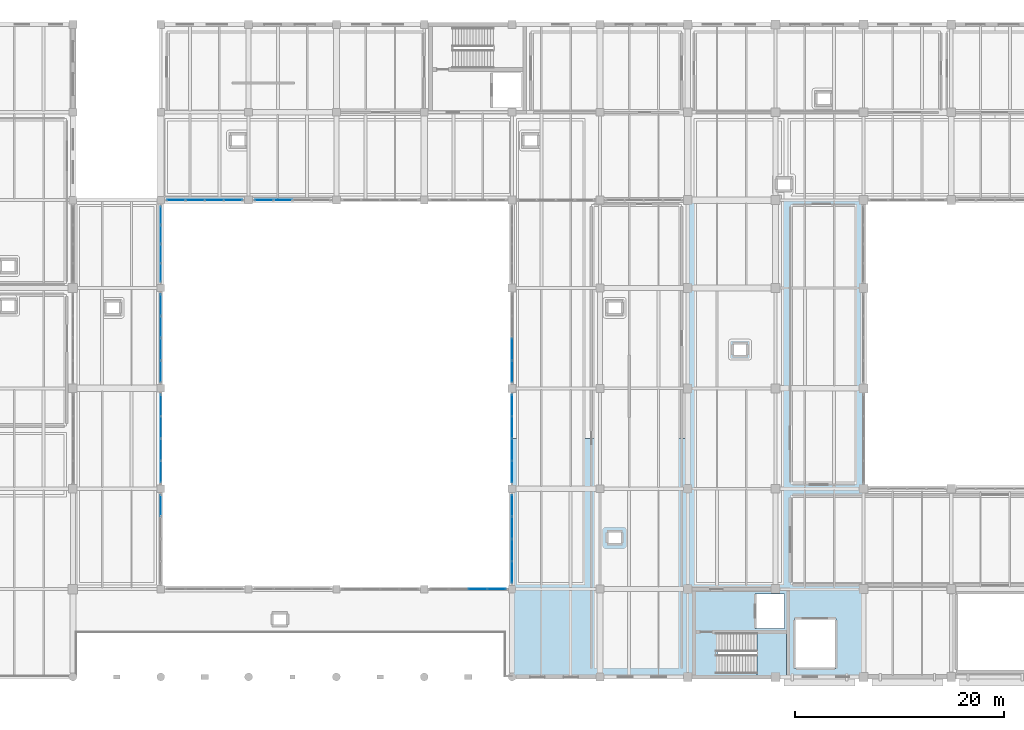
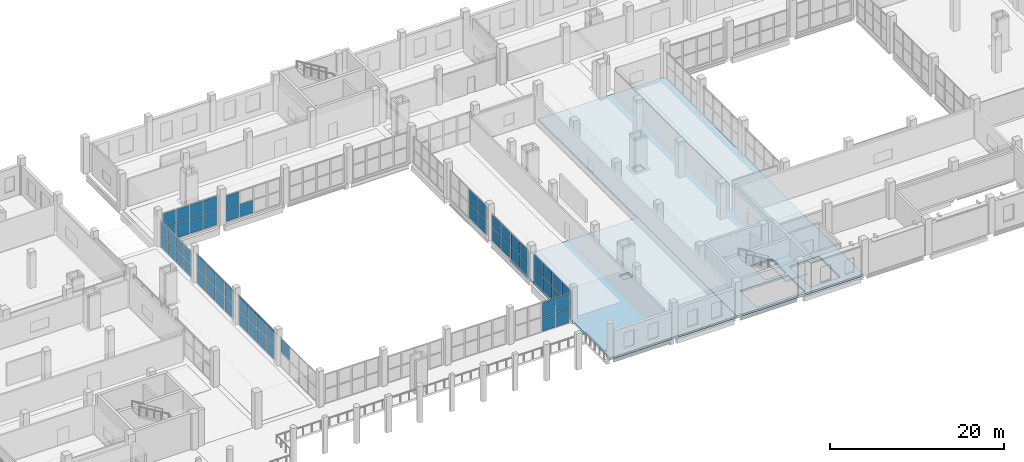
# One storey, part 40 of 66: 60 plates, 3 slabs, 11 elements without a shape of their own.
"""IFC4 building model written with IfcOpenShell, lengths in metres."""

from ifc_helpers import new_model, si_unit, direction, frame, origin, origin_2d, place, context, subcontext, project, spatial, polyline, rectangle, outline, extrude, material, layer, layer_set, type_object, element, aggregate, save


model = new_model("IFC4")

# Units and contexts
model_context = context("Model", 3, precision=1e-05, world=origin(), true_north=direction((0.0, 1.0)))
body_context = subcontext(model_context, "Body", "Model", "MODEL_VIEW")
ifc_project = project(units=[si_unit("LENGTHUNIT", "METRE"), si_unit("AREAUNIT", "SQUARE_METRE"), si_unit("VOLUMEUNIT", "CUBIC_METRE"), si_unit("PLANEANGLEUNIT", "RADIAN"), si_unit("MASSUNIT", "GRAM", prefix="KILO")], contexts=[model_context])

# Site, building, storey
site_placement = place(None, origin())
site = spatial("IfcSite", under=ifc_project, at=site_placement, CompositionType="ELEMENT")
building_placement = place(site_placement, origin())
building = spatial("IfcBuilding", under=site, at=building_placement, Name="Zulmaris Art Gallery", CompositionType="ELEMENT")
storey_placement = place(building_placement, frame((0.0, 0.0, 5.39990234375)))
storey = spatial("IfcBuildingStorey", under=building, at=storey_placement, Name="L01", CompositionType="ELEMENT", Elevation=5.39990234375)

# Curtain wall, plate
ifc_material_1 = material(Name="Cloister & Court Glazed Curtain Wall", Category="aluminium")
ifc_layer_1 = layer(ifc_material_1, 0.179931640625)
ifc_layer_set_1 = layer_set([ifc_layer_1], Name="Cloister & Court Glazed Curtain Wall")
curtain_wall_type_1 = type_object("IfcCurtainWallType", Name="CW-CW03", PredefinedType="NOTDEFINED", material=ifc_layer_set_1)
curtain_wall_1_placement = place(storey_placement, origin())
curtain_wall_1 = element("IfcCurtainWall", 1, at=curtain_wall_1_placement, inside=storey, type_object=curtain_wall_type_1, Name="L01 curtain wall 71", PredefinedType="NOTDEFINED")
ifc_material_2 = material(Name="Triple Solar-Control Laminated Glass", Category="glass")
ifc_layer_2 = layer(ifc_material_2, 0.035888671875)
ifc_layer_set_2 = layer_set([ifc_layer_2], Name="Triple Solar-Control Laminated Glass")
plate_type = type_object("IfcPlateType", Name="CWPAN-GLZ", PredefinedType="CURTAIN_PANEL", material=ifc_layer_set_2)
plate_1_placement = place(storey_placement, frame((91.199951171875, 29.576171875, 2.07275390625), z_axis=(0.0, 0.0, 1.0), x_axis=(0.0, -1.0, 0.0)))
plate_1 = element("IfcPlate", 2, at=plate_1_placement, type_object=plate_type, Name="CW03 panel 1.2", PredefinedType="CURTAIN_PANEL", context=body_context, shape_type="SweptSolid", body=[
    extrude(rectangle(XDim=2.017578125, YDim=0.031982421875, at=origin_2d()), origin(), (0.0, 0.0, 1.0), 1.922607421875),
])
aggregate(curtain_wall_1, [plate_1])

# Curtain wall, plates
curtain_wall_2_placement = place(storey_placement, origin())
curtain_wall_2 = element("IfcCurtainWall", 3, at=curtain_wall_2_placement, inside=storey, type_object=curtain_wall_type_1, Name="L01 curtain wall 73", PredefinedType="NOTDEFINED")
plate_2_placement = place(storey_placement, frame((91.199951171875, 39.17626953125, 0.0751953125), z_axis=(0.0, 0.0, 1.0), x_axis=(0.0, -1.0, 0.0)))
plate_2 = element("IfcPlate", 4, at=plate_2_placement, type_object=plate_type, Name="CW03 panel 1.1", PredefinedType="CURTAIN_PANEL", context=body_context, shape_type="SweptSolid", body=[
    extrude(rectangle(XDim=2.017578125, YDim=0.031982421875, at=origin_2d()), origin(), (0.0, 0.0, 1.0), 2.00244140625),
])
plate_3_placement = place(storey_placement, frame((91.199951171875, 39.17626953125, 2.152587890625), z_axis=(0.0, 0.0, 1.0), x_axis=(0.0, -1.0, 0.0)))
plate_3 = element("IfcPlate", 5, at=plate_3_placement, type_object=plate_type, Name="CW03 panel 1.2", PredefinedType="CURTAIN_PANEL", context=body_context, shape_type="SweptSolid", body=[
    extrude(rectangle(XDim=2.017578125, YDim=0.031982421875, at=origin_2d()), origin(), (0.0, 0.0, 1.0), 2.00244140625),
])
plate_4_placement = place(storey_placement, frame((91.199951171875, 37.06494140625, 0.0751953125), z_axis=(0.0, 0.0, 1.0), x_axis=(0.0, -1.0, 0.0)))
plate_4 = element("IfcPlate", 6, at=plate_4_placement, type_object=plate_type, Name="CW03 panel 2.1", PredefinedType="CURTAIN_PANEL", context=body_context, shape_type="SweptSolid", body=[
    extrude(rectangle(XDim=2.054931640625, YDim=0.031982421875, at=origin_2d()), origin(), (0.0, 0.0, 1.0), 2.00244140625),
])
plate_5_placement = place(storey_placement, frame((91.199951171875, 37.06494140625, 2.152587890625), z_axis=(0.0, 0.0, 1.0), x_axis=(0.0, -1.0, 0.0)))
plate_5 = element("IfcPlate", 7, at=plate_5_placement, type_object=plate_type, Name="CW03 panel 2.2", PredefinedType="CURTAIN_PANEL", context=body_context, shape_type="SweptSolid", body=[
    extrude(rectangle(XDim=2.054931640625, YDim=0.031982421875, at=origin_2d()), origin(), (0.0, 0.0, 1.0), 2.00244140625),
])
plate_6_placement = place(storey_placement, frame((91.199951171875, 34.93505859375, 0.0751953125), z_axis=(0.0, 0.0, 1.0), x_axis=(0.0, -1.0, 0.0)))
plate_6 = element("IfcPlate", 8, at=plate_6_placement, type_object=plate_type, Name="CW03 panel 3.1", PredefinedType="CURTAIN_PANEL", context=body_context, shape_type="SweptSolid", body=[
    extrude(rectangle(XDim=2.054931640625, YDim=0.031982421875, at=origin_2d()), origin(), (0.0, 0.0, 1.0), 2.00244140625),
])
plate_7_placement = place(storey_placement, frame((91.199951171875, 34.93505859375, 2.152587890625), z_axis=(0.0, 0.0, 1.0), x_axis=(0.0, -1.0, 0.0)))
plate_7 = element("IfcPlate", 9, at=plate_7_placement, type_object=plate_type, Name="CW03 panel 3.2", PredefinedType="CURTAIN_PANEL", context=body_context, shape_type="SweptSolid", body=[
    extrude(rectangle(XDim=2.054931640625, YDim=0.031982421875, at=origin_2d()), origin(), (0.0, 0.0, 1.0), 2.00244140625),
])
plate_8_placement = place(storey_placement, frame((91.199951171875, 32.82373046875, 0.0751953125), z_axis=(0.0, 0.0, 1.0), x_axis=(0.0, -1.0, 0.0)))
plate_8 = element("IfcPlate", 10, at=plate_8_placement, type_object=plate_type, Name="CW03 panel 4.1", PredefinedType="CURTAIN_PANEL", context=body_context, shape_type="SweptSolid", body=[
    extrude(rectangle(XDim=2.017578125, YDim=0.031982421875, at=origin_2d()), origin(), (0.0, 0.0, 1.0), 2.00244140625),
])
plate_9_placement = place(storey_placement, frame((91.199951171875, 32.82373046875, 2.152587890625), z_axis=(0.0, 0.0, 1.0), x_axis=(0.0, -1.0, 0.0)))
plate_9 = element("IfcPlate", 11, at=plate_9_placement, type_object=plate_type, Name="CW03 panel 4.2", PredefinedType="CURTAIN_PANEL", context=body_context, shape_type="SweptSolid", body=[
    extrude(rectangle(XDim=2.017578125, YDim=0.031982421875, at=origin_2d()), origin(), (0.0, 0.0, 1.0), 2.00244140625),
])
aggregate(curtain_wall_2, [plate_2, plate_3, plate_4, plate_5, plate_6, plate_7, plate_8, plate_9])

curtain_wall_3_placement = place(storey_placement, origin())
curtain_wall_3 = element("IfcCurtainWall", 12, at=curtain_wall_3_placement, inside=storey, type_object=curtain_wall_type_1, Name="L01 curtain wall 75", PredefinedType="NOTDEFINED")
plate_10_placement = place(storey_placement, frame((91.199951171875, 48.7763671875, 0.0751953125), z_axis=(0.0, 0.0, 1.0), x_axis=(0.0, -1.0, 0.0)))
plate_10 = element("IfcPlate", 13, at=plate_10_placement, type_object=plate_type, Name="CW03 panel 1.1", PredefinedType="CURTAIN_PANEL", context=body_context, shape_type="SweptSolid", body=[
    extrude(rectangle(XDim=2.017578125, YDim=0.031982421875, at=origin_2d()), origin(), (0.0, 0.0, 1.0), 1.972412109375),
])
plate_11_placement = place(storey_placement, frame((91.199951171875, 48.7763671875, 2.12255859375), z_axis=(0.0, 0.0, 1.0), x_axis=(0.0, -1.0, 0.0)))
plate_11 = element("IfcPlate", 14, at=plate_11_placement, type_object=plate_type, Name="CW03 panel 1.2", PredefinedType="CURTAIN_PANEL", context=body_context, shape_type="SweptSolid", body=[
    extrude(rectangle(XDim=2.017578125, YDim=0.031982421875, at=origin_2d()), origin(), (0.0, 0.0, 1.0), 1.972412109375),
])
plate_12_placement = place(storey_placement, frame((91.199951171875, 46.6650390625, 0.0751953125), z_axis=(0.0, 0.0, 1.0), x_axis=(0.0, -1.0, 0.0)))
plate_12 = element("IfcPlate", 15, at=plate_12_placement, type_object=plate_type, Name="CW03 panel 2.1", PredefinedType="CURTAIN_PANEL", context=body_context, shape_type="SweptSolid", body=[
    extrude(rectangle(XDim=2.054931640625, YDim=0.031982421875, at=origin_2d()), origin(), (0.0, 0.0, 1.0), 1.972412109375),
])
plate_13_placement = place(storey_placement, frame((91.199951171875, 46.6650390625, 2.12255859375), z_axis=(0.0, 0.0, 1.0), x_axis=(0.0, -1.0, 0.0)))
plate_13 = element("IfcPlate", 16, at=plate_13_placement, type_object=plate_type, Name="CW03 panel 2.2", PredefinedType="CURTAIN_PANEL", context=body_context, shape_type="SweptSolid", body=[
    extrude(rectangle(XDim=2.054931640625, YDim=0.031982421875, at=origin_2d()), origin(), (0.0, 0.0, 1.0), 1.972412109375),
])
plate_14_placement = place(storey_placement, frame((91.199951171875, 44.534912109375, 0.0751953125), z_axis=(0.0, 0.0, 1.0), x_axis=(0.0, -1.0, 0.0)))
plate_14 = element("IfcPlate", 17, at=plate_14_placement, type_object=plate_type, Name="CW03 panel 3.1", PredefinedType="CURTAIN_PANEL", context=body_context, shape_type="SweptSolid", body=[
    extrude(rectangle(XDim=2.054931640625, YDim=0.031982421875, at=origin_2d()), origin(), (0.0, 0.0, 1.0), 1.972412109375),
])
plate_15_placement = place(storey_placement, frame((91.199951171875, 44.534912109375, 2.12255859375), z_axis=(0.0, 0.0, 1.0), x_axis=(0.0, -1.0, 0.0)))
plate_15 = element("IfcPlate", 18, at=plate_15_placement, type_object=plate_type, Name="CW03 panel 3.2", PredefinedType="CURTAIN_PANEL", context=body_context, shape_type="SweptSolid", body=[
    extrude(rectangle(XDim=2.054931640625, YDim=0.031982421875, at=origin_2d()), origin(), (0.0, 0.0, 1.0), 1.972412109375),
])
plate_16_placement = place(storey_placement, frame((91.199951171875, 42.423828125, 0.0751953125), z_axis=(0.0, 0.0, 1.0), x_axis=(0.0, -1.0, 0.0)))
plate_16 = element("IfcPlate", 19, at=plate_16_placement, type_object=plate_type, Name="CW03 panel 4.1", PredefinedType="CURTAIN_PANEL", context=body_context, shape_type="SweptSolid", body=[
    extrude(rectangle(XDim=2.017578125, YDim=0.031982421875, at=origin_2d()), origin(), (0.0, 0.0, 1.0), 1.972412109375),
])
plate_17_placement = place(storey_placement, frame((91.199951171875, 42.423828125, 2.12255859375), z_axis=(0.0, 0.0, 1.0), x_axis=(0.0, -1.0, 0.0)))
plate_17 = element("IfcPlate", 20, at=plate_17_placement, type_object=plate_type, Name="CW03 panel 4.2", PredefinedType="CURTAIN_PANEL", context=body_context, shape_type="SweptSolid", body=[
    extrude(rectangle(XDim=2.017578125, YDim=0.031982421875, at=origin_2d()), origin(), (0.0, 0.0, 1.0), 1.972412109375),
])
aggregate(curtain_wall_3, [plate_10, plate_11, plate_12, plate_13, plate_14, plate_15, plate_16, plate_17])

curtain_wall_4_placement = place(storey_placement, origin())
curtain_wall_4 = element("IfcCurtainWall", 21, at=curtain_wall_4_placement, inside=storey, type_object=curtain_wall_type_1, Name="L01 curtain wall 77", PredefinedType="NOTDEFINED")
plate_18_placement = place(storey_placement, frame((91.199951171875, 57.326171875, 0.0751953125), z_axis=(0.0, 0.0, 1.0), x_axis=(0.0, -1.0, 0.0)))
plate_18 = element("IfcPlate", 22, at=plate_18_placement, type_object=plate_type, Name="CW03 panel 1.1", PredefinedType="CURTAIN_PANEL", context=body_context, shape_type="SweptSolid", body=[
    extrude(rectangle(XDim=1.717529296875, YDim=0.031982421875, at=origin_2d()), origin(), (0.0, 0.0, 1.0), 1.7724609375),
])
plate_19_placement = place(storey_placement, frame((91.199951171875, 57.326171875, 1.922607421875), z_axis=(0.0, 0.0, 1.0), x_axis=(0.0, -1.0, 0.0)))
plate_19 = element("IfcPlate", 23, at=plate_19_placement, type_object=plate_type, Name="CW03 panel 1.2", PredefinedType="CURTAIN_PANEL", context=body_context, shape_type="SweptSolid", body=[
    extrude(rectangle(XDim=1.717529296875, YDim=0.031982421875, at=origin_2d()), origin(), (0.0, 0.0, 1.0), 1.7724609375),
])
plate_20_placement = place(storey_placement, frame((91.199951171875, 55.514892578125, 0.0751953125), z_axis=(0.0, 0.0, 1.0), x_axis=(0.0, -1.0, 0.0)))
plate_20 = element("IfcPlate", 24, at=plate_20_placement, type_object=plate_type, Name="CW03 panel 2.1", PredefinedType="CURTAIN_PANEL", context=body_context, shape_type="SweptSolid", body=[
    extrude(rectangle(XDim=1.7548828125, YDim=0.031982421875, at=origin_2d()), origin(), (0.0, 0.0, 1.0), 1.7724609375),
])
plate_21_placement = place(storey_placement, frame((91.199951171875, 55.514892578125, 1.922607421875), z_axis=(0.0, 0.0, 1.0), x_axis=(0.0, -1.0, 0.0)))
plate_21 = element("IfcPlate", 25, at=plate_21_placement, type_object=plate_type, Name="CW03 panel 2.2", PredefinedType="CURTAIN_PANEL", context=body_context, shape_type="SweptSolid", body=[
    extrude(rectangle(XDim=1.7548828125, YDim=0.031982421875, at=origin_2d()), origin(), (0.0, 0.0, 1.0), 1.7724609375),
])
plate_22_placement = place(storey_placement, frame((91.199951171875, 53.68505859375, 0.0751953125), z_axis=(0.0, 0.0, 1.0), x_axis=(0.0, -1.0, 0.0)))
plate_22 = element("IfcPlate", 26, at=plate_22_placement, type_object=plate_type, Name="CW03 panel 3.1", PredefinedType="CURTAIN_PANEL", context=body_context, shape_type="SweptSolid", body=[
    extrude(rectangle(XDim=1.7548828125, YDim=0.031982421875, at=origin_2d()), origin(), (0.0, 0.0, 1.0), 1.7724609375),
])
plate_23_placement = place(storey_placement, frame((91.199951171875, 53.68505859375, 1.922607421875), z_axis=(0.0, 0.0, 1.0), x_axis=(0.0, -1.0, 0.0)))
plate_23 = element("IfcPlate", 27, at=plate_23_placement, type_object=plate_type, Name="CW03 panel 3.2", PredefinedType="CURTAIN_PANEL", context=body_context, shape_type="SweptSolid", body=[
    extrude(rectangle(XDim=1.7548828125, YDim=0.031982421875, at=origin_2d()), origin(), (0.0, 0.0, 1.0), 1.7724609375),
])
plate_24_placement = place(storey_placement, frame((91.199951171875, 51.873779296875, 0.0751953125), z_axis=(0.0, 0.0, 1.0), x_axis=(0.0, -1.0, 0.0)))
plate_24 = element("IfcPlate", 28, at=plate_24_placement, type_object=plate_type, Name="CW03 panel 4.1", PredefinedType="CURTAIN_PANEL", context=body_context, shape_type="SweptSolid", body=[
    extrude(rectangle(XDim=1.717529296875, YDim=0.031982421875, at=origin_2d()), origin(), (0.0, 0.0, 1.0), 1.7724609375),
])
plate_25_placement = place(storey_placement, frame((91.199951171875, 51.873779296875, 1.922607421875), z_axis=(0.0, 0.0, 1.0), x_axis=(0.0, -1.0, 0.0)))
plate_25 = element("IfcPlate", 29, at=plate_25_placement, type_object=plate_type, Name="CW03 panel 4.2", PredefinedType="CURTAIN_PANEL", context=body_context, shape_type="SweptSolid", body=[
    extrude(rectangle(XDim=1.717529296875, YDim=0.031982421875, at=origin_2d()), origin(), (0.0, 0.0, 1.0), 1.7724609375),
])
aggregate(curtain_wall_4, [plate_18, plate_19, plate_20, plate_21, plate_22, plate_23, plate_24, plate_25])

ifc_material_3 = material(Name="Unitised Low-E Gallery Curtain Wall", Category="aluminium")
ifc_layer_3 = layer(ifc_material_3, 0.179931640625)
ifc_layer_set_3 = layer_set([ifc_layer_3], Name="Unitised Low-E Gallery Curtain Wall")
curtain_wall_type_2 = type_object("IfcCurtainWallType", Name="CW-CW01", PredefinedType="NOTDEFINED", material=ifc_layer_set_3)
curtain_wall_5_placement = place(storey_placement, origin())
curtain_wall_5 = element("IfcCurtainWall", 30, at=curtain_wall_5_placement, inside=storey, type_object=curtain_wall_type_2, Name="L01 curtain wall 94", PredefinedType="NOTDEFINED")
plate_26_placement = place(storey_placement, frame((92.673828125, 58.800048828125, 0.074951171875), z_axis=(0.0, 0.0, 1.0), x_axis=(1.0, 0.0, 0.0)))
plate_26 = element("IfcPlate", 31, at=plate_26_placement, type_object=plate_type, Name="CW01 panel 1.1", PredefinedType="CURTAIN_PANEL", context=body_context, shape_type="SweptSolid", body=[
    extrude(rectangle(XDim=1.717529296875, YDim=0.031982421875, at=origin_2d()), origin(), (0.0, 0.0, 1.0), 1.97509765625),
])
plate_27_placement = place(storey_placement, frame((92.673828125, 58.800048828125, 2.125), z_axis=(0.0, 0.0, 1.0), x_axis=(1.0, 0.0, 0.0)))
plate_27 = element("IfcPlate", 32, at=plate_27_placement, type_object=plate_type, Name="CW01 panel 1.2", PredefinedType="CURTAIN_PANEL", context=body_context, shape_type="SweptSolid", body=[
    extrude(rectangle(XDim=1.717529296875, YDim=0.031982421875, at=origin_2d()), origin(), (0.0, 0.0, 1.0), 1.97509765625),
])
plate_28_placement = place(storey_placement, frame((94.485107421875, 58.800048828125, 0.074951171875), z_axis=(0.0, 0.0, 1.0), x_axis=(1.0, 0.0, 0.0)))
plate_28 = element("IfcPlate", 33, at=plate_28_placement, type_object=plate_type, Name="CW01 panel 2.1", PredefinedType="CURTAIN_PANEL", context=body_context, shape_type="SweptSolid", body=[
    extrude(rectangle(XDim=1.7548828125, YDim=0.031982421875, at=origin_2d()), origin(), (0.0, 0.0, 1.0), 1.97509765625),
])
plate_29_placement = place(storey_placement, frame((94.485107421875, 58.800048828125, 2.125), z_axis=(0.0, 0.0, 1.0), x_axis=(1.0, 0.0, 0.0)))
plate_29 = element("IfcPlate", 34, at=plate_29_placement, type_object=plate_type, Name="CW01 panel 2.2", PredefinedType="CURTAIN_PANEL", context=body_context, shape_type="SweptSolid", body=[
    extrude(rectangle(XDim=1.7548828125, YDim=0.031982421875, at=origin_2d()), origin(), (0.0, 0.0, 1.0), 1.97509765625),
])
plate_30_placement = place(storey_placement, frame((96.31494140625, 58.800048828125, 0.074951171875), z_axis=(0.0, 0.0, 1.0), x_axis=(1.0, 0.0, 0.0)))
plate_30 = element("IfcPlate", 35, at=plate_30_placement, type_object=plate_type, Name="CW01 panel 3.1", PredefinedType="CURTAIN_PANEL", context=body_context, shape_type="SweptSolid", body=[
    extrude(rectangle(XDim=1.7548828125, YDim=0.031982421875, at=origin_2d()), origin(), (0.0, 0.0, 1.0), 1.97509765625),
])
plate_31_placement = place(storey_placement, frame((96.31494140625, 58.800048828125, 2.125), z_axis=(0.0, 0.0, 1.0), x_axis=(1.0, 0.0, 0.0)))
plate_31 = element("IfcPlate", 36, at=plate_31_placement, type_object=plate_type, Name="CW01 panel 3.2", PredefinedType="CURTAIN_PANEL", context=body_context, shape_type="SweptSolid", body=[
    extrude(rectangle(XDim=1.7548828125, YDim=0.031982421875, at=origin_2d()), origin(), (0.0, 0.0, 1.0), 1.97509765625),
])
plate_32_placement = place(storey_placement, frame((98.126220703125, 58.800048828125, 0.074951171875), z_axis=(0.0, 0.0, 1.0), x_axis=(1.0, 0.0, 0.0)))
plate_32 = element("IfcPlate", 37, at=plate_32_placement, type_object=plate_type, Name="CW01 panel 4.1", PredefinedType="CURTAIN_PANEL", context=body_context, shape_type="SweptSolid", body=[
    extrude(rectangle(XDim=1.717529296875, YDim=0.031982421875, at=origin_2d()), origin(), (0.0, 0.0, 1.0), 1.97509765625),
])
plate_33_placement = place(storey_placement, frame((98.126220703125, 58.800048828125, 2.125), z_axis=(0.0, 0.0, 1.0), x_axis=(1.0, 0.0, 0.0)))
plate_33 = element("IfcPlate", 38, at=plate_33_placement, type_object=plate_type, Name="CW01 panel 4.2", PredefinedType="CURTAIN_PANEL", context=body_context, shape_type="SweptSolid", body=[
    extrude(rectangle(XDim=1.717529296875, YDim=0.031982421875, at=origin_2d()), origin(), (0.0, 0.0, 1.0), 1.97509765625),
])
aggregate(curtain_wall_5, [plate_26, plate_27, plate_28, plate_29, plate_30, plate_31, plate_32, plate_33])

curtain_wall_6_placement = place(storey_placement, origin())
curtain_wall_6 = element("IfcCurtainWall", 39, at=curtain_wall_6_placement, inside=storey, type_object=curtain_wall_type_2, Name="L01 curtain wall 95", PredefinedType="NOTDEFINED")
plate_34_placement = place(storey_placement, frame((101.07373046875, 58.800048828125, 0.0751953125), z_axis=(0.0, 0.0, 1.0), x_axis=(1.0, 0.0, 0.0)))
plate_34 = element("IfcPlate", 40, at=plate_34_placement, type_object=plate_type, Name="CW01 panel 1.1", PredefinedType="CURTAIN_PANEL", context=body_context, shape_type="SweptSolid", body=[
    extrude(rectangle(XDim=1.717529296875, YDim=0.031982421875, at=origin_2d()), origin(), (0.0, 0.0, 1.0), 1.7724609375),
])
plate_35_placement = place(storey_placement, frame((101.07373046875, 58.800048828125, 1.922607421875), z_axis=(0.0, 0.0, 1.0), x_axis=(1.0, 0.0, 0.0)))
plate_35 = element("IfcPlate", 41, at=plate_35_placement, type_object=plate_type, Name="CW01 panel 1.2", PredefinedType="CURTAIN_PANEL", context=body_context, shape_type="SweptSolid", body=[
    extrude(rectangle(XDim=1.717529296875, YDim=0.031982421875, at=origin_2d()), origin(), (0.0, 0.0, 1.0), 1.7724609375),
])
plate_36_placement = place(storey_placement, frame((102.885009765625, 58.800048828125, 0.0751953125), z_axis=(0.0, 0.0, 1.0), x_axis=(1.0, 0.0, 0.0)))
plate_36 = element("IfcPlate", 42, at=plate_36_placement, type_object=plate_type, Name="CW01 panel 2.1", PredefinedType="CURTAIN_PANEL", context=body_context, shape_type="SweptSolid", body=[
    extrude(rectangle(XDim=1.7548828125, YDim=0.031982421875, at=origin_2d()), origin(), (0.0, 0.0, 1.0), 1.7724609375),
])
aggregate(curtain_wall_6, [plate_34, plate_35, plate_36])

curtain_wall_7_placement = place(storey_placement, origin())
curtain_wall_7 = element("IfcCurtainWall", 43, at=curtain_wall_7_placement, inside=storey, type_object=curtain_wall_type_2, Name="L01 curtain wall 100", PredefinedType="NOTDEFINED")
plate_37_placement = place(storey_placement, frame((124.800048828125, 23.2236328125, 0.0751953125), z_axis=(0.0, 0.0, 1.0), x_axis=(0.0, 1.0, 0.0)))
plate_37 = element("IfcPlate", 44, at=plate_37_placement, type_object=plate_type, Name="CW01 panel 1.1", PredefinedType="CURTAIN_PANEL", context=body_context, shape_type="SweptSolid", body=[
    extrude(rectangle(XDim=2.017578125, YDim=0.031982421875, at=origin_2d()), origin(), (0.0, 0.0, 1.0), 1.925048828125),
])
plate_38_placement = place(storey_placement, frame((124.800048828125, 23.2236328125, 2.0751953125), z_axis=(0.0, 0.0, 1.0), x_axis=(0.0, 1.0, 0.0)))
plate_38 = element("IfcPlate", 45, at=plate_38_placement, type_object=plate_type, Name="CW01 panel 1.2", PredefinedType="CURTAIN_PANEL", context=body_context, shape_type="SweptSolid", body=[
    extrude(rectangle(XDim=2.017578125, YDim=0.031982421875, at=origin_2d()), origin(), (0.0, 0.0, 1.0), 1.925048828125),
])
plate_39_placement = place(storey_placement, frame((124.800048828125, 25.3349609375, 0.0751953125), z_axis=(0.0, 0.0, 1.0), x_axis=(0.0, 1.0, 0.0)))
plate_39 = element("IfcPlate", 46, at=plate_39_placement, type_object=plate_type, Name="CW01 panel 2.1", PredefinedType="CURTAIN_PANEL", context=body_context, shape_type="SweptSolid", body=[
    extrude(rectangle(XDim=2.054931640625, YDim=0.031982421875, at=origin_2d()), origin(), (0.0, 0.0, 1.0), 1.925048828125),
])
plate_40_placement = place(storey_placement, frame((124.800048828125, 25.3349609375, 2.0751953125), z_axis=(0.0, 0.0, 1.0), x_axis=(0.0, 1.0, 0.0)))
plate_40 = element("IfcPlate", 47, at=plate_40_placement, type_object=plate_type, Name="CW01 panel 2.2", PredefinedType="CURTAIN_PANEL", context=body_context, shape_type="SweptSolid", body=[
    extrude(rectangle(XDim=2.054931640625, YDim=0.031982421875, at=origin_2d()), origin(), (0.0, 0.0, 1.0), 1.925048828125),
])
plate_41_placement = place(storey_placement, frame((124.800048828125, 27.465087890625, 0.0751953125), z_axis=(0.0, 0.0, 1.0), x_axis=(0.0, 1.0, 0.0)))
plate_41 = element("IfcPlate", 48, at=plate_41_placement, type_object=plate_type, Name="CW01 panel 3.1", PredefinedType="CURTAIN_PANEL", context=body_context, shape_type="SweptSolid", body=[
    extrude(rectangle(XDim=2.054931640625, YDim=0.031982421875, at=origin_2d()), origin(), (0.0, 0.0, 1.0), 1.925048828125),
])
plate_42_placement = place(storey_placement, frame((124.800048828125, 27.465087890625, 2.0751953125), z_axis=(0.0, 0.0, 1.0), x_axis=(0.0, 1.0, 0.0)))
plate_42 = element("IfcPlate", 49, at=plate_42_placement, type_object=plate_type, Name="CW01 panel 3.2", PredefinedType="CURTAIN_PANEL", context=body_context, shape_type="SweptSolid", body=[
    extrude(rectangle(XDim=2.054931640625, YDim=0.031982421875, at=origin_2d()), origin(), (0.0, 0.0, 1.0), 1.925048828125),
])
plate_43_placement = place(storey_placement, frame((124.800048828125, 29.576171875, 0.0751953125), z_axis=(0.0, 0.0, 1.0), x_axis=(0.0, 1.0, 0.0)))
plate_43 = element("IfcPlate", 50, at=plate_43_placement, type_object=plate_type, Name="CW01 panel 4.1", PredefinedType="CURTAIN_PANEL", context=body_context, shape_type="SweptSolid", body=[
    extrude(rectangle(XDim=2.017578125, YDim=0.031982421875, at=origin_2d()), origin(), (0.0, 0.0, 1.0), 1.925048828125),
])
plate_44_placement = place(storey_placement, frame((124.800048828125, 29.576171875, 2.0751953125), z_axis=(0.0, 0.0, 1.0), x_axis=(0.0, 1.0, 0.0)))
plate_44 = element("IfcPlate", 51, at=plate_44_placement, type_object=plate_type, Name="CW01 panel 4.2", PredefinedType="CURTAIN_PANEL", context=body_context, shape_type="SweptSolid", body=[
    extrude(rectangle(XDim=2.017578125, YDim=0.031982421875, at=origin_2d()), origin(), (0.0, 0.0, 1.0), 1.925048828125),
])
aggregate(curtain_wall_7, [plate_37, plate_38, plate_39, plate_40, plate_41, plate_42, plate_43, plate_44])

curtain_wall_8_placement = place(storey_placement, origin())
curtain_wall_8 = element("IfcCurtainWall", 52, at=curtain_wall_8_placement, inside=storey, type_object=curtain_wall_type_2, Name="L01 curtain wall 101", PredefinedType="NOTDEFINED")
plate_45_placement = place(storey_placement, frame((124.800048828125, 32.82373046875, 0.0751953125), z_axis=(0.0, 0.0, 1.0), x_axis=(0.0, 1.0, 0.0)))
plate_45 = element("IfcPlate", 53, at=plate_45_placement, type_object=plate_type, Name="CW01 panel 1.1", PredefinedType="CURTAIN_PANEL", context=body_context, shape_type="SweptSolid", body=[
    extrude(rectangle(XDim=2.017578125, YDim=0.031982421875, at=origin_2d()), origin(), (0.0, 0.0, 1.0), 1.797607421875),
])
plate_46_placement = place(storey_placement, frame((124.800048828125, 32.82373046875, 1.94775390625), z_axis=(0.0, 0.0, 1.0), x_axis=(0.0, 1.0, 0.0)))
plate_46 = element("IfcPlate", 54, at=plate_46_placement, type_object=plate_type, Name="CW01 panel 1.2", PredefinedType="CURTAIN_PANEL", context=body_context, shape_type="SweptSolid", body=[
    extrude(rectangle(XDim=2.017578125, YDim=0.031982421875, at=origin_2d()), origin(), (0.0, 0.0, 1.0), 1.797607421875),
])
plate_47_placement = place(storey_placement, frame((124.800048828125, 34.93505859375, 0.0751953125), z_axis=(0.0, 0.0, 1.0), x_axis=(0.0, 1.0, 0.0)))
plate_47 = element("IfcPlate", 55, at=plate_47_placement, type_object=plate_type, Name="CW01 panel 2.1", PredefinedType="CURTAIN_PANEL", context=body_context, shape_type="SweptSolid", body=[
    extrude(rectangle(XDim=2.054931640625, YDim=0.031982421875, at=origin_2d()), origin(), (0.0, 0.0, 1.0), 1.797607421875),
])
plate_48_placement = place(storey_placement, frame((124.800048828125, 34.93505859375, 1.94775390625), z_axis=(0.0, 0.0, 1.0), x_axis=(0.0, 1.0, 0.0)))
plate_48 = element("IfcPlate", 56, at=plate_48_placement, type_object=plate_type, Name="CW01 panel 2.2", PredefinedType="CURTAIN_PANEL", context=body_context, shape_type="SweptSolid", body=[
    extrude(rectangle(XDim=2.054931640625, YDim=0.031982421875, at=origin_2d()), origin(), (0.0, 0.0, 1.0), 1.797607421875),
])
plate_49_placement = place(storey_placement, frame((124.800048828125, 37.06494140625, 0.0751953125), z_axis=(0.0, 0.0, 1.0), x_axis=(0.0, 1.0, 0.0)))
plate_49 = element("IfcPlate", 57, at=plate_49_placement, type_object=plate_type, Name="CW01 panel 3.1", PredefinedType="CURTAIN_PANEL", context=body_context, shape_type="SweptSolid", body=[
    extrude(rectangle(XDim=2.054931640625, YDim=0.031982421875, at=origin_2d()), origin(), (0.0, 0.0, 1.0), 1.797607421875),
])
plate_50_placement = place(storey_placement, frame((124.800048828125, 37.06494140625, 1.94775390625), z_axis=(0.0, 0.0, 1.0), x_axis=(0.0, 1.0, 0.0)))
plate_50 = element("IfcPlate", 58, at=plate_50_placement, type_object=plate_type, Name="CW01 panel 3.2", PredefinedType="CURTAIN_PANEL", context=body_context, shape_type="SweptSolid", body=[
    extrude(rectangle(XDim=2.054931640625, YDim=0.031982421875, at=origin_2d()), origin(), (0.0, 0.0, 1.0), 1.797607421875),
])
plate_51_placement = place(storey_placement, frame((124.800048828125, 39.17626953125, 0.0751953125), z_axis=(0.0, 0.0, 1.0), x_axis=(0.0, 1.0, 0.0)))
plate_51 = element("IfcPlate", 59, at=plate_51_placement, type_object=plate_type, Name="CW01 panel 4.1", PredefinedType="CURTAIN_PANEL", context=body_context, shape_type="SweptSolid", body=[
    extrude(rectangle(XDim=2.017578125, YDim=0.031982421875, at=origin_2d()), origin(), (0.0, 0.0, 1.0), 1.797607421875),
])
plate_52_placement = place(storey_placement, frame((124.800048828125, 39.17626953125, 1.94775390625), z_axis=(0.0, 0.0, 1.0), x_axis=(0.0, 1.0, 0.0)))
plate_52 = element("IfcPlate", 60, at=plate_52_placement, type_object=plate_type, Name="CW01 panel 4.2", PredefinedType="CURTAIN_PANEL", context=body_context, shape_type="SweptSolid", body=[
    extrude(rectangle(XDim=2.017578125, YDim=0.031982421875, at=origin_2d()), origin(), (0.0, 0.0, 1.0), 1.797607421875),
])
aggregate(curtain_wall_8, [plate_45, plate_46, plate_47, plate_48, plate_49, plate_50, plate_51, plate_52])

curtain_wall_9_placement = place(storey_placement, origin())
curtain_wall_9 = element("IfcCurtainWall", 61, at=curtain_wall_9_placement, inside=storey, type_object=curtain_wall_type_2, Name="L01 curtain wall 102", PredefinedType="NOTDEFINED")
plate_53_placement = place(storey_placement, frame((124.800048828125, 42.423828125, 0.0751953125), z_axis=(0.0, 0.0, 1.0), x_axis=(0.0, 1.0, 0.0)))
plate_53 = element("IfcPlate", 62, at=plate_53_placement, type_object=plate_type, Name="CW01 panel 1.1", PredefinedType="CURTAIN_PANEL", context=body_context, shape_type="SweptSolid", body=[
    extrude(rectangle(XDim=2.017578125, YDim=0.031982421875, at=origin_2d()), origin(), (0.0, 0.0, 1.0), 1.972412109375),
])
plate_54_placement = place(storey_placement, frame((124.800048828125, 42.423828125, 2.12255859375), z_axis=(0.0, 0.0, 1.0), x_axis=(0.0, 1.0, 0.0)))
plate_54 = element("IfcPlate", 63, at=plate_54_placement, type_object=plate_type, Name="CW01 panel 1.2", PredefinedType="CURTAIN_PANEL", context=body_context, shape_type="SweptSolid", body=[
    extrude(rectangle(XDim=2.017578125, YDim=0.031982421875, at=origin_2d()), origin(), (0.0, 0.0, 1.0), 1.972412109375),
])
plate_55_placement = place(storey_placement, frame((124.800048828125, 44.534912109375, 0.0751953125), z_axis=(0.0, 0.0, 1.0), x_axis=(0.0, 1.0, 0.0)))
plate_55 = element("IfcPlate", 64, at=plate_55_placement, type_object=plate_type, Name="CW01 panel 2.1", PredefinedType="CURTAIN_PANEL", context=body_context, shape_type="SweptSolid", body=[
    extrude(rectangle(XDim=2.054931640625, YDim=0.031982421875, at=origin_2d()), origin(), (0.0, 0.0, 1.0), 1.972412109375),
])
plate_56_placement = place(storey_placement, frame((124.800048828125, 44.534912109375, 2.12255859375), z_axis=(0.0, 0.0, 1.0), x_axis=(0.0, 1.0, 0.0)))
plate_56 = element("IfcPlate", 65, at=plate_56_placement, type_object=plate_type, Name="CW01 panel 2.2", PredefinedType="CURTAIN_PANEL", context=body_context, shape_type="SweptSolid", body=[
    extrude(rectangle(XDim=2.054931640625, YDim=0.031982421875, at=origin_2d()), origin(), (0.0, 0.0, 1.0), 1.972412109375),
])
aggregate(curtain_wall_9, [plate_53, plate_54, plate_55, plate_56])

curtain_wall_10_placement = place(storey_placement, origin())
curtain_wall_10 = element("IfcCurtainWall", 66, at=curtain_wall_10_placement, inside=storey, type_object=curtain_wall_type_1, Name="L01 curtain wall 192", PredefinedType="NOTDEFINED")
plate_57_placement = place(storey_placement, frame((121.514892578125, 21.60009765625, 0.0751953125), z_axis=(0.0, 0.0, 1.0), x_axis=(1.0, 0.0, 0.0)))
plate_57 = element("IfcPlate", 67, at=plate_57_placement, type_object=plate_type, Name="CW03 panel 3.1", PredefinedType="CURTAIN_PANEL", context=body_context, shape_type="SweptSolid", body=[
    extrude(rectangle(XDim=1.7548828125, YDim=0.031982421875, at=origin_2d()), origin(), (0.0, 0.0, 1.0), 2.00244140625),
])
plate_58_placement = place(storey_placement, frame((121.514892578125, 21.60009765625, 2.152587890625), z_axis=(0.0, 0.0, 1.0), x_axis=(1.0, 0.0, 0.0)))
plate_58 = element("IfcPlate", 68, at=plate_58_placement, type_object=plate_type, Name="CW03 panel 3.2", PredefinedType="CURTAIN_PANEL", context=body_context, shape_type="SweptSolid", body=[
    extrude(rectangle(XDim=1.7548828125, YDim=0.031982421875, at=origin_2d()), origin(), (0.0, 0.0, 1.0), 2.00244140625),
])
plate_59_placement = place(storey_placement, frame((123.326171875, 21.60009765625, 0.0751953125), z_axis=(0.0, 0.0, 1.0), x_axis=(1.0, 0.0, 0.0)))
plate_59 = element("IfcPlate", 69, at=plate_59_placement, type_object=plate_type, Name="CW03 panel 4.1", PredefinedType="CURTAIN_PANEL", context=body_context, shape_type="SweptSolid", body=[
    extrude(rectangle(XDim=1.717529296875, YDim=0.031982421875, at=origin_2d()), origin(), (0.0, 0.0, 1.0), 2.00244140625),
])
plate_60_placement = place(storey_placement, frame((123.326171875, 21.60009765625, 2.152587890625), z_axis=(0.0, 0.0, 1.0), x_axis=(1.0, 0.0, 0.0)))
plate_60 = element("IfcPlate", 70, at=plate_60_placement, type_object=plate_type, Name="CW03 panel 4.2", PredefinedType="CURTAIN_PANEL", context=body_context, shape_type="SweptSolid", body=[
    extrude(rectangle(XDim=1.717529296875, YDim=0.031982421875, at=origin_2d()), origin(), (0.0, 0.0, 1.0), 2.00244140625),
])
aggregate(curtain_wall_10, [plate_57, plate_58, plate_59, plate_60])

# Slabs
ifc_material_4 = material(Name="Concrete C40/50", Category="concrete")
ifc_layer_4 = layer(ifc_material_4, 0.280029296875)
ifc_layer_set_4 = layer_set([ifc_layer_4], Name="Concrete C40/50")
slab_type_1 = type_object("IfcSlabType", Name="SLAB-SL-FL02", PredefinedType="FLOOR", material=ifc_layer_set_4)
slab_1_placement = place(storey_placement, frame((0.0, 0.0, -0.27978515625)))
element("IfcSlab", 71, at=slab_1_placement, inside=storey, type_object=slab_type_1, Name="L01 V4-ES slab", PredefinedType="FLOOR", context=body_context, shape_type="SweptSolid", body=[
    extrude(outline(polyline([(124.800048828125, 13.199951171875), (124.800048828125, 36.0), (141.60009765625, 36.0), (141.60009765625, 13.199951171875), (124.800048828125, 13.199951171875)]), holes=[polyline([(135.199951171875, 26.0), (135.199951171875, 27.0), (134.0, 27.0), (134.0, 26.0), (135.199951171875, 26.0)])]), origin(), (0.0, 0.0, 1.0), 0.27978515625),
])
slab_2_placement = place(storey_placement, frame((0.0, 0.0, -0.27978515625)))
element("IfcSlab", 72, at=slab_2_placement, inside=storey, type_object=slab_type_1, Name="L01 V5-SW slab", PredefinedType="FLOOR", context=body_context, shape_type="SweptSolid", body=[
    extrude(outline(polyline([(158.39990234375, 58.800048828125), (158.39990234375, 31.199951171875), (158.39990234375, 13.199951171875), (141.60009765625, 13.199951171875), (141.60009765625, 58.800048828125), (158.39990234375, 58.800048828125)]), holes=[polyline([(144.4599609375, 13.550048828125), (150.85009765625, 13.550048828125), (150.85009765625, 17.389892578125), (144.4599609375, 17.389892578125), (144.4599609375, 13.550048828125)]), polyline([(155.800048828125, 14.0), (155.800048828125, 18.800048828125), (151.800048828125, 18.800048828125), (151.800048828125, 14.0), (155.800048828125, 14.0)]), polyline([(150.85009765625, 17.820068359375), (150.85009765625, 21.14990234375), (148.050048828125, 21.14990234375), (148.050048828125, 17.820068359375), (150.85009765625, 17.820068359375)]), polyline([(146.0, 44.0), (147.199951171875, 44.0), (147.199951171875, 45.0), (146.0, 45.0), (146.0, 44.0)])]), origin(), (0.0, 0.0, 1.0), 0.27978515625),
])

# Stair, slab
stair_type = type_object("IfcStairType", Name="STAIR-CORE", PredefinedType="HALF_TURN_STAIR", material=ifc_material_4)
stair_placement = place(storey_placement, origin())
stair = element("IfcStair", 73, at=stair_placement, inside=storey, type_object=stair_type, Name="L01 Exit Stair ST3", PredefinedType="HALF_TURN_STAIR")
ifc_layer_5 = layer(ifc_material_4, 0.2099609375)
ifc_layer_set_5 = layer_set([ifc_layer_5], Name="Concrete C40/50")
slab_type_2 = type_object("IfcSlabType", Name="SLAB-STLND", PredefinedType="LANDING", material=ifc_layer_set_5)
slab_3_placement = place(storey_placement, frame((0.0, 0.0, 2.35009765625)))
slab_3 = element("IfcSlab", 74, at=slab_3_placement, type_object=slab_type_2, Name="ST3 landing 1", PredefinedType="LANDING", context=body_context, shape_type="SweptSolid", body=[
    extrude(outline(polyline([(148.219970703125, 13.330078125), (151.050048828125, 13.330078125), (151.050048828125, 17.610107421875), (148.219970703125, 17.610107421875), (148.219970703125, 13.330078125)])), origin(), (0.0, 0.0, 1.0), 0.199951171875),
])
aggregate(stair, [slab_3])

save(model, "model.ifc")
